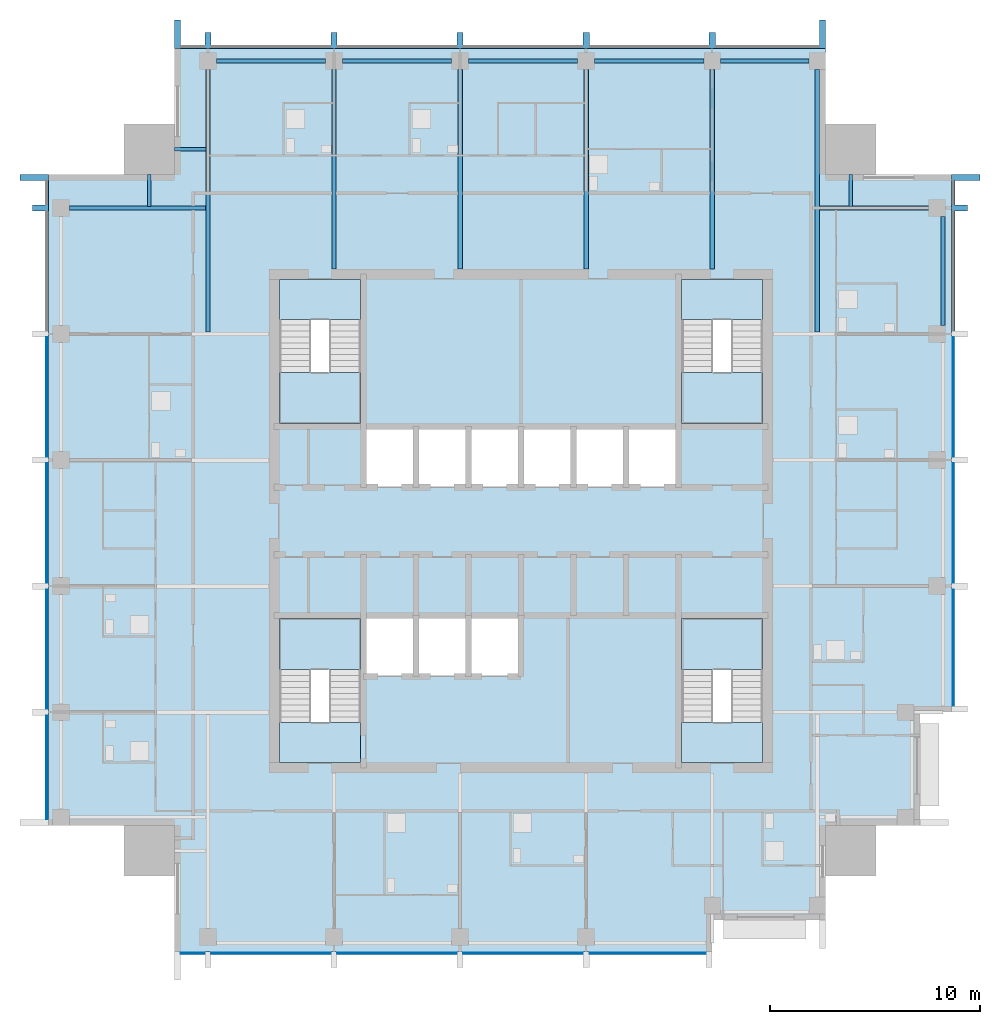
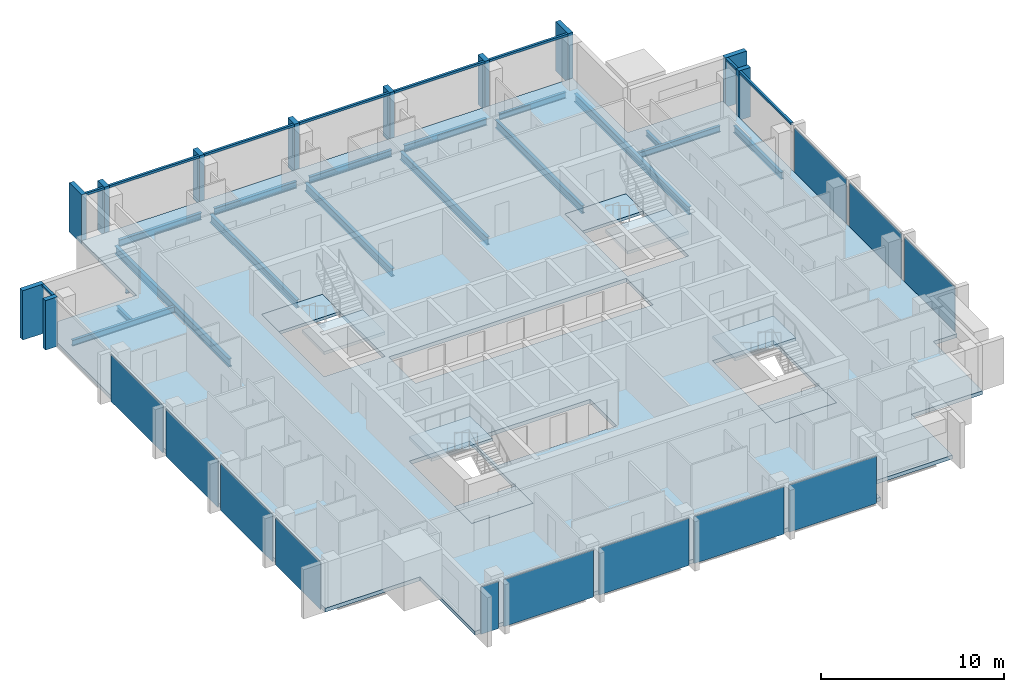
# One storey, part 2 of 10: 20 members, 17 beams, 12 plates, 9 slabs, 8 elements without a shape of their own.
"""IFC4 building model written with IfcOpenShell, lengths in metres."""

from ifc_helpers import new_model, si_unit, direction, frame, origin, origin_2d, place, context, subcontext, project, spatial, polyline, rectangle, i_section, outline, extrude, material, layer, layer_set, material_profile, profile_set, type_object, element, aggregate, save


model = new_model("IFC4")

# Units and contexts
model_context = context("Model", 3, precision=1e-05, world=origin(), true_north=direction((0.0, 1.0)))
body_context = subcontext(model_context, "Body", "Model", "MODEL_VIEW")
ifc_project = project(units=[si_unit("LENGTHUNIT", "METRE"), si_unit("AREAUNIT", "SQUARE_METRE"), si_unit("VOLUMEUNIT", "CUBIC_METRE"), si_unit("PLANEANGLEUNIT", "RADIAN"), si_unit("MASSUNIT", "GRAM", prefix="KILO")], contexts=[model_context])

# Site, building, storey
site_placement = place(None, origin())
site = spatial("IfcSite", under=ifc_project, at=site_placement, CompositionType="ELEMENT")
building_placement = place(site_placement, origin())
building = spatial("IfcBuilding", under=site, at=building_placement, Name="Amberfall Residences", CompositionType="ELEMENT")
storey_placement = place(building_placement, frame((0.0, 0.0, 275.199951171875)))
storey = spatial("IfcBuildingStorey", under=building, at=storey_placement, Name="L74", CompositionType="ELEMENT", Elevation=275.199951171875)

# Curtain wall, members
ifc_material_1 = material(Name="Bronze anodised aluminium and glass", Category="aluminium")
curtain_wall_type = type_object("IfcCurtainWallType", Name="Curtain wall CW1 tower unit", PredefinedType="USERDEFINED", material=ifc_material_1)
curtain_wall_1_placement = place(storey_placement, origin())
curtain_wall_1 = element("IfcCurtainWall", 1, at=curtain_wall_1_placement, inside=storey, type_object=curtain_wall_type, Name="Curtain wall L74 E E3", ObjectType="UNITISED CURTAIN WALL", PredefinedType="USERDEFINED")
ifc_material_2 = material(Name="Bronze anodised aluminium", Category="aluminium")
ifc_material_profile_1 = material_profile(ifc_material_2, rectangle(XDim=0.14990234375, YDim=0.14990234375, at=origin_2d()), Name="CW1 transom 150 x 150 bronze")
ifc_profile_set_1 = profile_set([ifc_material_profile_1], Name="Bronze anodised aluminium")
member_type_1 = type_object("IfcMemberType", Name="CW1 transom 150 x 150 bronze", PredefinedType="USERDEFINED", material=ifc_profile_set_1)
member_1_placement = place(storey_placement, frame((95.074951171875, 54.550048828125, 2.97509765625), z_axis=(0.0, 1.0, 0.0), x_axis=(-1.0, 0.0, 0.0)))
member_1 = element("IfcMember", 2, at=member_1_placement, type_object=member_type_1, Name="CW1 transom 4.1", ObjectType="TRANSOM", PredefinedType="USERDEFINED", context=body_context, shape_type="SweptSolid", body=[
    extrude(rectangle(XDim=0.14990234375, YDim=0.14990234375, at=origin_2d()), origin(), (0.0, 0.0, 1.0), 5.699951171875),
])
member_2_placement = place(storey_placement, frame((95.074951171875, 60.550048828125, 2.97509765625), z_axis=(0.0, 1.0, 0.0), x_axis=(-1.0, 0.0, 0.0)))
member_2 = element("IfcMember", 3, at=member_2_placement, type_object=member_type_1, Name="CW1 transom 5.1", ObjectType="TRANSOM", PredefinedType="USERDEFINED", context=body_context, shape_type="SweptSolid", body=[
    extrude(rectangle(XDim=0.14990234375, YDim=0.14990234375, at=origin_2d()), origin(), (0.0, 0.0, 1.0), 1.14990234375),
])

curtain_wall_2_placement = place(storey_placement, origin())
curtain_wall_2 = element("IfcCurtainWall", 4, at=curtain_wall_2_placement, inside=storey, type_object=curtain_wall_type, Name="Curtain wall L74 N N1", ObjectType="UNITISED CURTAIN WALL", PredefinedType="USERDEFINED")
member_3_placement = place(storey_placement, frame((88.699951171875, 68.074951171875, 2.97509765625), z_axis=(-1.0, 0.0, 0.0), x_axis=(0.0, -1.0, 0.0)))
member_3 = element("IfcMember", 5, at=member_3_placement, type_object=member_type_1, Name="CW1 transom 1.1", ObjectType="TRANSOM", PredefinedType="USERDEFINED", context=body_context, shape_type="SweptSolid", body=[
    extrude(rectangle(XDim=0.14990234375, YDim=0.14990234375, at=origin_2d()), origin(), (0.0, 0.0, 1.0), 4.949951171875),
])
member_4_placement = place(storey_placement, frame((83.449951171875, 68.074951171875, 2.97509765625), z_axis=(-1.0, 0.0, 0.0), x_axis=(0.0, -1.0, 0.0)))
member_4 = element("IfcMember", 6, at=member_4_placement, type_object=member_type_1, Name="CW1 transom 2.1", ObjectType="TRANSOM", PredefinedType="USERDEFINED", context=body_context, shape_type="SweptSolid", body=[
    extrude(rectangle(XDim=0.14990234375, YDim=0.14990234375, at=origin_2d()), origin(), (0.0, 0.0, 1.0), 5.699951171875),
])
member_5_placement = place(storey_placement, frame((77.449951171875, 68.074951171875, 2.97509765625), z_axis=(-1.0, 0.0, 0.0), x_axis=(0.0, -1.0, 0.0)))
member_5 = element("IfcMember", 7, at=member_5_placement, type_object=member_type_1, Name="CW1 transom 3.1", ObjectType="TRANSOM", PredefinedType="USERDEFINED", context=body_context, shape_type="SweptSolid", body=[
    extrude(rectangle(XDim=0.14990234375, YDim=0.14990234375, at=origin_2d()), origin(), (0.0, 0.0, 1.0), 5.699951171875),
])
member_6_placement = place(storey_placement, frame((71.449951171875, 68.074951171875, 2.97509765625), z_axis=(-1.0, 0.0, 0.0), x_axis=(0.0, -1.0, 0.0)))
member_6 = element("IfcMember", 8, at=member_6_placement, type_object=member_type_1, Name="CW1 transom 4.1", ObjectType="TRANSOM", PredefinedType="USERDEFINED", context=body_context, shape_type="SweptSolid", body=[
    extrude(rectangle(XDim=0.14990234375, YDim=0.14990234375, at=origin_2d()), origin(), (0.0, 0.0, 1.0), 5.699951171875),
])
member_7_placement = place(storey_placement, frame((65.449951171875, 68.074951171875, 2.97509765625), z_axis=(-1.0, 0.0, 0.0), x_axis=(0.0, -1.0, 0.0)))
member_7 = element("IfcMember", 9, at=member_7_placement, type_object=member_type_1, Name="CW1 transom 5.1", ObjectType="TRANSOM", PredefinedType="USERDEFINED", context=body_context, shape_type="SweptSolid", body=[
    extrude(rectangle(XDim=0.14990234375, YDim=0.14990234375, at=origin_2d()), origin(), (0.0, 0.0, 1.0), 5.699951171875),
])
member_8_placement = place(storey_placement, frame((59.449951171875, 68.074951171875, 2.97509765625), z_axis=(-1.0, 0.0, 0.0), x_axis=(0.0, -1.0, 0.0)))
member_8 = element("IfcMember", 10, at=member_8_placement, type_object=member_type_1, Name="CW1 transom 6.1", ObjectType="TRANSOM", PredefinedType="USERDEFINED", context=body_context, shape_type="SweptSolid", body=[
    extrude(rectangle(XDim=0.14990234375, YDim=0.14990234375, at=origin_2d()), origin(), (0.0, 0.0, 1.0), 1.14990234375),
])

# Curtain wall, member
curtain_wall_3_placement = place(storey_placement, origin())
curtain_wall_3 = element("IfcCurtainWall", 11, at=curtain_wall_3_placement, inside=storey, type_object=curtain_wall_type, Name="Curtain wall L74 W W1", ObjectType="UNITISED CURTAIN WALL", PredefinedType="USERDEFINED")
member_9_placement = place(storey_placement, frame((51.925048828125, 61.699951171875, 2.97509765625), z_axis=(0.0, -1.0, 0.0), x_axis=(1.0, 0.0, 0.0)))
member_9 = element("IfcMember", 12, at=member_9_placement, type_object=member_type_1, Name="CW1 transom 1.1", ObjectType="TRANSOM", PredefinedType="USERDEFINED", context=body_context, shape_type="SweptSolid", body=[
    extrude(rectangle(XDim=0.14990234375, YDim=0.14990234375, at=origin_2d()), origin(), (0.0, 0.0, 1.0), 1.14990234375),
])

# Member
ifc_material_profile_2 = material_profile(ifc_material_2, rectangle(XDim=1.35009765625, YDim=0.300048828125, at=origin_2d()), Name="Corner fin 300 x 1350 bronze")
ifc_profile_set_2 = profile_set([ifc_material_profile_2], Name="Bronze anodised aluminium")
member_type_2 = type_object("IfcMemberType", Name="Corner fin 300 x 1350 bronze", PredefinedType="MULLION", material=ifc_profile_set_2)
member_10_placement = place(storey_placement, frame((95.675048828125, 61.85009765625, -0.25), z_axis=(0.0, 0.0, 1.0), x_axis=(-1.0, 0.0, 0.0)))
member_10 = element("IfcMember", 13, at=member_10_placement, type_object=member_type_2, Name="CW FIN 6", PredefinedType="MULLION", context=body_context, shape_type="SweptSolid", body=[
    extrude(rectangle(XDim=1.35009765625, YDim=0.300048828125, at=origin_2d()), origin(), (0.0, 0.0, 1.0), 3.300048828125),
])

member_11_placement = place(storey_placement, frame((88.85009765625, 68.675048828125, -0.25), z_axis=(0.0, 0.0, 1.0), x_axis=(0.0, -1.0, 0.0)))
member_11 = element("IfcMember", 14, at=member_11_placement, type_object=member_type_2, Name="CW FIN 1", PredefinedType="MULLION", context=body_context, shape_type="SweptSolid", body=[
    extrude(rectangle(XDim=1.35009765625, YDim=0.300048828125, at=origin_2d()), origin(), (0.0, 0.0, 1.0), 3.300048828125),
])

member_12_placement = place(storey_placement, frame((58.14990234375, 68.675048828125, -0.25), z_axis=(0.0, 0.0, 1.0), x_axis=(0.0, -1.0, 0.0)))
member_12 = element("IfcMember", 15, at=member_12_placement, type_object=member_type_2, Name="CW FIN 7", PredefinedType="MULLION", context=body_context, shape_type="SweptSolid", body=[
    extrude(rectangle(XDim=1.35009765625, YDim=0.300048828125, at=origin_2d()), origin(), (0.0, 0.0, 1.0), 3.300048828125),
])

member_13_placement = place(storey_placement, frame((51.324951171875, 61.85009765625, -0.25), z_axis=(0.0, 0.0, 1.0), x_axis=(1.0, 0.0, 0.0)))
member_13 = element("IfcMember", 16, at=member_13_placement, type_object=member_type_2, Name="CW FIN 1", PredefinedType="MULLION", context=body_context, shape_type="SweptSolid", body=[
    extrude(rectangle(XDim=1.35009765625, YDim=0.300048828125, at=origin_2d()), origin(), (0.0, 0.0, 1.0), 3.300048828125),
])

# Beams
ifc_material_3 = material(Name="Steel S355", Category="steel")
ifc_material_profile_3 = material_profile(ifc_material_3, i_section(OverallWidth=0.177734375, OverallDepth=0.402587890625, WebThickness=0.0078125, FlangeThickness=0.010986328125, FilletRadius=0.01025390625, at=origin_2d()), Name="UB 406x178x54")
ifc_profile_set_3 = profile_set([ifc_material_profile_3], Name="Steel S355")
beam_type_1 = type_object("IfcBeamType", Name="Edge beam UB 406x178x54", PredefinedType="SPANDREL", material=ifc_profile_set_3)
beam_1_placement = place(storey_placement, frame((84.0, 67.39990234375, -0.451171875), z_axis=(1.0, 0.0, 0.0), x_axis=(0.0, 1.0, 0.0)))
element("IfcBeam", 17, at=beam_1_placement, inside=storey, type_object=beam_type_1, Name="Edge beam B14 L74 29", PredefinedType="SPANDREL", context=body_context, shape_type="SweptSolid", body=[
    extrude(i_section(OverallWidth=0.177734375, OverallDepth=0.402587890625, WebThickness=0.0078125, FlangeThickness=0.010986328125, FilletRadius=0.01025390625, at=origin_2d()), origin(), (0.0, 0.0, 1.0), 4.199951171875),
])
ifc_material_profile_4 = material_profile(ifc_material_3, i_section(OverallWidth=0.18994140625, OverallDepth=0.453369140625, WebThickness=0.008544921875, FlangeThickness=0.0126953125, FilletRadius=0.01025390625, at=origin_2d()), Name="UB 457x191x67")
ifc_profile_set_4 = profile_set([ifc_material_profile_4], Name="Steel S355")
beam_type_2 = type_object("IfcBeamType", Name="Edge beam UB 457x191x67", PredefinedType="SPANDREL", material=ifc_profile_set_4)
for number, where, z_axis, x_axis, name in (
    (18, (94.60009765625, 54.800048828125, -0.4765625), (0.0, 1.0, 0.0), (-1.0, 0.0, 0.0), "Edge beam B1 L74 17"),
    (19, (60.0, 67.39990234375, -0.4765625), (1.0, 0.0, 0.0), (0.0, 1.0, 0.0), "Edge beam B1 L74 25"),
    (20, (66.0, 67.39990234375, -0.4765625), (1.0, 0.0, 0.0), (0.0, 1.0, 0.0), "Edge beam B1 L74 26"),
    (21, (72.0, 67.39990234375, -0.4765625), (1.0, 0.0, 0.0), (0.0, 1.0, 0.0), "Edge beam B1 L74 27"),
    (22, (78.0, 67.39990234375, -0.4765625), (1.0, 0.0, 0.0), (0.0, 1.0, 0.0), "Edge beam B1 L74 28"),
):
    element("IfcBeam", number, at=place(storey_placement, frame(where, z_axis=z_axis, x_axis=x_axis)), inside=storey, type_object=beam_type_2, Name=name, PredefinedType="SPANDREL", context=body_context, shape_type="SweptSolid", body=[
        extrude(i_section(OverallWidth=0.18994140625, OverallDepth=0.453369140625, WebThickness=0.008544921875, FlangeThickness=0.0126953125, FilletRadius=0.01025390625, at=origin_2d()), origin(), (0.0, 0.0, 1.0), 5.199951171875),
    ])

# Member
ifc_material_profile_5 = material_profile(ifc_material_2, rectangle(XDim=0.75, YDim=0.300048828125, at=origin_2d()), Name="Fin 300 x 750 bronze")
ifc_profile_set_5 = profile_set([ifc_material_profile_5], Name="Bronze anodised aluminium")
member_type_3 = type_object("IfcMemberType", Name="Fin 300 x 750 bronze", PredefinedType="MULLION", material=ifc_profile_set_5)
member_14_placement = place(storey_placement, frame((95.375, 60.39990234375, -0.25), z_axis=(0.0, 0.0, 1.0), x_axis=(-1.0, 0.0, 0.0)))
member_14 = element("IfcMember", 23, at=member_14_placement, type_object=member_type_3, Name="CW FIN 5", PredefinedType="MULLION", context=body_context, shape_type="SweptSolid", body=[
    extrude(rectangle(XDim=0.75, YDim=0.300048828125, at=origin_2d()), origin(), (0.0, 0.0, 1.0), 3.300048828125),
])

member_15_placement = place(storey_placement, frame((83.60009765625, 68.375, -0.25), z_axis=(0.0, 0.0, 1.0), x_axis=(0.0, -1.0, 0.0)))
member_15 = element("IfcMember", 24, at=member_15_placement, type_object=member_type_3, Name="CW FIN 2", PredefinedType="MULLION", context=body_context, shape_type="SweptSolid", body=[
    extrude(rectangle(XDim=0.75, YDim=0.300048828125, at=origin_2d()), origin(), (0.0, 0.0, 1.0), 3.300048828125),
])

member_16_placement = place(storey_placement, frame((77.60009765625, 68.375, -0.25), z_axis=(0.0, 0.0, 1.0), x_axis=(0.0, -1.0, 0.0)))
member_16 = element("IfcMember", 25, at=member_16_placement, type_object=member_type_3, Name="CW FIN 3", PredefinedType="MULLION", context=body_context, shape_type="SweptSolid", body=[
    extrude(rectangle(XDim=0.75, YDim=0.300048828125, at=origin_2d()), origin(), (0.0, 0.0, 1.0), 3.300048828125),
])

member_17_placement = place(storey_placement, frame((71.60009765625, 68.375, -0.25), z_axis=(0.0, 0.0, 1.0), x_axis=(0.0, -1.0, 0.0)))
member_17 = element("IfcMember", 26, at=member_17_placement, type_object=member_type_3, Name="CW FIN 4", PredefinedType="MULLION", context=body_context, shape_type="SweptSolid", body=[
    extrude(rectangle(XDim=0.75, YDim=0.300048828125, at=origin_2d()), origin(), (0.0, 0.0, 1.0), 3.300048828125),
])

member_18_placement = place(storey_placement, frame((65.60009765625, 68.375, -0.25), z_axis=(0.0, 0.0, 1.0), x_axis=(0.0, -1.0, 0.0)))
member_18 = element("IfcMember", 27, at=member_18_placement, type_object=member_type_3, Name="CW FIN 5", PredefinedType="MULLION", context=body_context, shape_type="SweptSolid", body=[
    extrude(rectangle(XDim=0.75, YDim=0.300048828125, at=origin_2d()), origin(), (0.0, 0.0, 1.0), 3.300048828125),
])

member_19_placement = place(storey_placement, frame((59.60009765625, 68.375, -0.25), z_axis=(0.0, 0.0, 1.0), x_axis=(0.0, -1.0, 0.0)))
member_19 = element("IfcMember", 28, at=member_19_placement, type_object=member_type_3, Name="CW FIN 6", PredefinedType="MULLION", context=body_context, shape_type="SweptSolid", body=[
    extrude(rectangle(XDim=0.75, YDim=0.300048828125, at=origin_2d()), origin(), (0.0, 0.0, 1.0), 3.300048828125),
])

aggregate(curtain_wall_2, [member_11, member_15, member_16, member_17, member_18, member_19, member_12, member_3, member_4, member_5, member_6, member_7, member_8])

member_20_placement = place(storey_placement, frame((51.625, 60.39990234375, -0.25), z_axis=(0.0, 0.0, 1.0), x_axis=(1.0, 0.0, 0.0)))
member_20 = element("IfcMember", 29, at=member_20_placement, type_object=member_type_3, Name="CW FIN 2", PredefinedType="MULLION", context=body_context, shape_type="SweptSolid", body=[
    extrude(rectangle(XDim=0.75, YDim=0.300048828125, at=origin_2d()), origin(), (0.0, 0.0, 1.0), 3.300048828125),
])

# Beams
ifc_material_profile_6 = material_profile(ifc_material_3, i_section(OverallWidth=0.177734375, OverallDepth=0.402587890625, WebThickness=0.0078125, FlangeThickness=0.010986328125, FilletRadius=0.01025390625, at=origin_2d()), Name="UB 406x178x54")
ifc_profile_set_6 = profile_set([ifc_material_profile_6], Name="Steel S355")
beam_type_3 = type_object("IfcBeamType", Name="Floor girder UB 406x178x54", PredefinedType="BEAM", material=ifc_profile_set_6)
beam_2_placement = place(storey_placement, frame((93.89990234375, 60.39990234375, -0.451171875), z_axis=(-1.0, 0.0, 0.0), x_axis=(0.0, -1.0, 0.0)))
element("IfcBeam", 30, at=beam_2_placement, inside=storey, type_object=beam_type_3, Name="Floor girder B4 L74 24", PredefinedType="BEAM", context=body_context, shape_type="SweptSolid", body=[
    extrude(i_section(OverallWidth=0.177734375, OverallDepth=0.402587890625, WebThickness=0.0078125, FlangeThickness=0.010986328125, FilletRadius=0.01025390625, at=origin_2d()), origin(), (0.0, 0.0, 1.0), 5.179931640625),
])
beam_3_placement = place(storey_placement, frame((53.0, 60.39990234375, -0.451171875), z_axis=(1.0, 0.0, 0.0), x_axis=(0.0, 1.0, 0.0)))
element("IfcBeam", 31, at=beam_3_placement, inside=storey, type_object=beam_type_3, Name="Floor girder B4 L74 46", PredefinedType="BEAM", context=body_context, shape_type="SweptSolid", body=[
    extrude(i_section(OverallWidth=0.177734375, OverallDepth=0.402587890625, WebThickness=0.0078125, FlangeThickness=0.010986328125, FilletRadius=0.01025390625, at=origin_2d()), origin(), (0.0, 0.0, 1.0), 6.47998046875),
])
ifc_material_profile_7 = material_profile(ifc_material_3, i_section(OverallWidth=0.210693359375, OverallDepth=0.53955078125, WebThickness=0.01171875, FlangeThickness=0.018798828125, FilletRadius=0.0126953125, at=origin_2d()), Name="UB 533x210x109")
ifc_profile_set_7 = profile_set([ifc_material_profile_7], Name="Steel S355")
beam_type_4 = type_object("IfcBeamType", Name="Floor girder UB 533x210x109", PredefinedType="BEAM", material=ifc_profile_set_7)
beam_4_placement = place(storey_placement, frame((59.60009765625, 67.0, -0.519775390625), z_axis=(0.0, -1.0, 0.0), x_axis=(1.0, 0.0, 0.0)))
element("IfcBeam", 32, at=beam_4_placement, inside=storey, type_object=beam_type_4, Name="Floor girder B2 L74 30", PredefinedType="BEAM", context=body_context, shape_type="SweptSolid", body=[
    extrude(i_section(OverallWidth=0.210693359375, OverallDepth=0.53955078125, WebThickness=0.01171875, FlangeThickness=0.018798828125, FilletRadius=0.0126953125, at=origin_2d()), origin(), (0.0, 0.0, 1.0), 12.50048828125),
])
beam_5_placement = place(storey_placement, frame((88.60009765625, 67.0, -0.519775390625), z_axis=(0.0, -1.0, 0.0), x_axis=(1.0, 0.0, 0.0)))
element("IfcBeam", 33, at=beam_5_placement, inside=storey, type_object=beam_type_4, Name="Floor girder B2 L74 35", PredefinedType="BEAM", context=body_context, shape_type="SweptSolid", body=[
    extrude(i_section(OverallWidth=0.210693359375, OverallDepth=0.53955078125, WebThickness=0.01171875, FlangeThickness=0.018798828125, FilletRadius=0.0126953125, at=origin_2d()), origin(), (0.0, 0.0, 1.0), 12.509521484375),
])
ifc_material_profile_8 = material_profile(ifc_material_3, i_section(OverallWidth=0.209228515625, OverallDepth=0.533203125, WebThickness=0.010009765625, FlangeThickness=0.015625, FilletRadius=0.0126953125, at=origin_2d()), Name="UB 533x210x92")
ifc_profile_set_8 = profile_set([ifc_material_profile_8], Name="Steel S355")
beam_type_5 = type_object("IfcBeamType", Name="Floor girder UB 533x210x92", PredefinedType="BEAM", material=ifc_profile_set_8)
for number, where, z_axis, x_axis, name in (
    (34, (65.60009765625, 67.0, -0.5166015625), (0.0, -1.0, 0.0), (1.0, 0.0, 0.0), "Floor girder B3 L74 31"),
    (35, (71.60009765625, 67.0, -0.5166015625), (0.0, -1.0, 0.0), (1.0, 0.0, 0.0), "Floor girder B3 L74 32"),
    (36, (77.60009765625, 67.0, -0.5166015625), (0.0, -1.0, 0.0), (1.0, 0.0, 0.0), "Floor girder B3 L74 33"),
    (37, (83.60009765625, 67.0, -0.5166015625), (0.0, -1.0, 0.0), (1.0, 0.0, 0.0), "Floor girder B3 L74 34"),
):
    element("IfcBeam", number, at=place(storey_placement, frame(where, z_axis=z_axis, x_axis=x_axis)), inside=storey, type_object=beam_type_5, Name=name, PredefinedType="BEAM", context=body_context, shape_type="SweptSolid", body=[
        extrude(i_section(OverallWidth=0.209228515625, OverallDepth=0.533203125, WebThickness=0.010009765625, FlangeThickness=0.015625, FilletRadius=0.0126953125, at=origin_2d()), origin(), (0.0, 0.0, 1.0), 9.5),
    ])
ifc_material_profile_9 = material_profile(ifc_material_3, i_section(OverallWidth=0.171142578125, OverallDepth=0.351318359375, WebThickness=0.007080078125, FlangeThickness=0.009765625, FilletRadius=0.01025390625, at=origin_2d()), Name="UB 356x171x45")
ifc_profile_set_9 = profile_set([ifc_material_profile_9], Name="Steel S355")
beam_type_6 = type_object("IfcBeamType", Name="Link beam UB 356x171x45", PredefinedType="BEAM", material=ifc_profile_set_9)
beam_6_placement = place(storey_placement, frame((90.199951171875, 62.0, -0.425537109375), z_axis=(0.0, -1.0, 0.0), x_axis=(1.0, 0.0, 0.0)))
element("IfcBeam", 38, at=beam_6_placement, inside=storey, type_object=beam_type_6, Name="Link beam B7 L74 48", PredefinedType="BEAM", context=body_context, shape_type="SweptSolid", body=[
    extrude(i_section(OverallWidth=0.171142578125, OverallDepth=0.351318359375, WebThickness=0.007080078125, FlangeThickness=0.009765625, FilletRadius=0.01025390625, at=origin_2d()), origin(), (0.0, 0.0, 1.0), 1.52099609375),
])
beam_7_placement = place(storey_placement, frame((58.0, 63.199951171875, -0.425537109375), z_axis=(1.0, 0.0, 0.0), x_axis=(0.0, 1.0, 0.0)))
element("IfcBeam", 39, at=beam_7_placement, inside=storey, type_object=beam_type_6, Name="Link beam B7 L74 49", PredefinedType="BEAM", context=body_context, shape_type="SweptSolid", body=[
    extrude(i_section(OverallWidth=0.171142578125, OverallDepth=0.351318359375, WebThickness=0.007080078125, FlangeThickness=0.009765625, FilletRadius=0.01025390625, at=origin_2d()), origin(), (0.0, 0.0, 1.0), 1.504638671875),
])
beam_8_placement = place(storey_placement, frame((56.800048828125, 62.0, -0.425537109375), z_axis=(0.0, -1.0, 0.0), x_axis=(1.0, 0.0, 0.0)))
element("IfcBeam", 40, at=beam_8_placement, inside=storey, type_object=beam_type_6, Name="Link beam B7 L74 50", PredefinedType="BEAM", context=body_context, shape_type="SweptSolid", body=[
    extrude(i_section(OverallWidth=0.171142578125, OverallDepth=0.351318359375, WebThickness=0.007080078125, FlangeThickness=0.009765625, FilletRadius=0.01025390625, at=origin_2d()), origin(), (0.0, 0.0, 1.0), 1.52099609375),
])

# Curtain wall, plates
curtain_wall_4_placement = place(storey_placement, origin())
curtain_wall_4 = element("IfcCurtainWall", 41, at=curtain_wall_4_placement, inside=storey, type_object=curtain_wall_type, Name="Curtain wall L74 S S1", ObjectType="UNITISED CURTAIN WALL", PredefinedType="USERDEFINED")
ifc_material_4 = material(Name="Tinted double glazed unit", Category="glass")
ifc_layer_1 = layer(ifc_material_4, 0.035888671875)
ifc_layer_set_1 = layer_set([ifc_layer_1], Name="CW1 panel 36 glazing")
plate_type = type_object("IfcPlateType", Name="CW1 panel 36 glazing", PredefinedType="CURTAIN_PANEL", material=ifc_layer_set_1)
plate_1_placement = place(storey_placement, frame((58.875, 24.925048828125, -0.25), z_axis=(0.0, 0.0, 1.0), x_axis=(1.0, 0.0, 0.0)))
plate_1 = element("IfcPlate", 42, at=plate_1_placement, type_object=plate_type, Name="CW1 panel 1.1", PredefinedType="CURTAIN_PANEL", context=body_context, shape_type="SweptSolid", body=[
    extrude(rectangle(XDim=1.1259765625, YDim=0.035888671875, at=origin_2d()), origin(), (0.0, 0.0, 1.0), 3.14990234375),
])
plate_2_placement = place(storey_placement, frame((62.60009765625, 24.925048828125, -0.25), z_axis=(0.0, 0.0, 1.0), x_axis=(1.0, 0.0, 0.0)))
plate_2 = element("IfcPlate", 43, at=plate_2_placement, type_object=plate_type, Name="CW1 panel 2.1", PredefinedType="CURTAIN_PANEL", context=body_context, shape_type="SweptSolid", body=[
    extrude(rectangle(XDim=5.676025390625, YDim=0.035888671875, at=origin_2d()), origin(), (0.0, 0.0, 1.0), 3.14990234375),
])
plate_3_placement = place(storey_placement, frame((68.60009765625, 24.925048828125, -0.25), z_axis=(0.0, 0.0, 1.0), x_axis=(1.0, 0.0, 0.0)))
plate_3 = element("IfcPlate", 44, at=plate_3_placement, type_object=plate_type, Name="CW1 panel 3.1", PredefinedType="CURTAIN_PANEL", context=body_context, shape_type="SweptSolid", body=[
    extrude(rectangle(XDim=5.676025390625, YDim=0.035888671875, at=origin_2d()), origin(), (0.0, 0.0, 1.0), 3.14990234375),
])
plate_4_placement = place(storey_placement, frame((74.60009765625, 24.925048828125, -0.25), z_axis=(0.0, 0.0, 1.0), x_axis=(1.0, 0.0, 0.0)))
plate_4 = element("IfcPlate", 45, at=plate_4_placement, type_object=plate_type, Name="CW1 panel 4.1", PredefinedType="CURTAIN_PANEL", context=body_context, shape_type="SweptSolid", body=[
    extrude(rectangle(XDim=5.676025390625, YDim=0.035888671875, at=origin_2d()), origin(), (0.0, 0.0, 1.0), 3.14990234375),
])
plate_5_placement = place(storey_placement, frame((80.52490234375, 24.925048828125, -0.25), z_axis=(0.0, 0.0, 1.0), x_axis=(1.0, 0.0, 0.0)))
plate_5 = element("IfcPlate", 46, at=plate_5_placement, type_object=plate_type, Name="CW1 panel 5.1", PredefinedType="CURTAIN_PANEL", context=body_context, shape_type="SweptSolid", body=[
    extrude(rectangle(XDim=5.52587890625, YDim=0.035888671875, at=origin_2d()), origin(), (0.0, 0.0, 1.0), 3.14990234375),
])
aggregate(curtain_wall_4, [plate_1, plate_2, plate_3, plate_4, plate_5])

# Plate
plate_6_placement = place(storey_placement, frame((95.074951171875, 39.47509765625, -0.25), z_axis=(0.0, 0.0, 1.0), x_axis=(0.0, 1.0, 0.0)))
plate_6 = element("IfcPlate", 47, at=plate_6_placement, type_object=plate_type, Name="CW1 panel 1.1", PredefinedType="CURTAIN_PANEL", context=body_context, shape_type="SweptSolid", body=[
    extrude(rectangle(XDim=5.52587890625, YDim=0.035888671875, at=origin_2d()), origin(), (0.0, 0.0, 1.0), 3.14990234375),
])

plate_7_placement = place(storey_placement, frame((95.074951171875, 45.39990234375, -0.25), z_axis=(0.0, 0.0, 1.0), x_axis=(0.0, 1.0, 0.0)))
plate_7 = element("IfcPlate", 48, at=plate_7_placement, type_object=plate_type, Name="CW1 panel 2.1", PredefinedType="CURTAIN_PANEL", context=body_context, shape_type="SweptSolid", body=[
    extrude(rectangle(XDim=5.676025390625, YDim=0.035888671875, at=origin_2d()), origin(), (0.0, 0.0, 1.0), 3.14990234375),
])

plate_8_placement = place(storey_placement, frame((95.074951171875, 51.39990234375, -0.25), z_axis=(0.0, 0.0, 1.0), x_axis=(0.0, 1.0, 0.0)))
plate_8 = element("IfcPlate", 49, at=plate_8_placement, type_object=plate_type, Name="CW1 panel 3.1", PredefinedType="CURTAIN_PANEL", context=body_context, shape_type="SweptSolid", body=[
    extrude(rectangle(XDim=5.676025390625, YDim=0.035888671875, at=origin_2d()), origin(), (0.0, 0.0, 1.0), 3.14990234375),
])

aggregate(curtain_wall_1, [member_14, member_10, plate_6, plate_7, plate_8, member_1, member_2])

plate_9_placement = place(storey_placement, frame((51.925048828125, 51.39990234375, -0.25), z_axis=(0.0, 0.0, 1.0), x_axis=(0.0, -1.0, 0.0)))
plate_9 = element("IfcPlate", 50, at=plate_9_placement, type_object=plate_type, Name="CW1 panel 3.1", PredefinedType="CURTAIN_PANEL", context=body_context, shape_type="SweptSolid", body=[
    extrude(rectangle(XDim=5.676025390625, YDim=0.035888671875, at=origin_2d()), origin(), (0.0, 0.0, 1.0), 3.14990234375),
])

plate_10_placement = place(storey_placement, frame((51.925048828125, 45.39990234375, -0.25), z_axis=(0.0, 0.0, 1.0), x_axis=(0.0, -1.0, 0.0)))
plate_10 = element("IfcPlate", 51, at=plate_10_placement, type_object=plate_type, Name="CW1 panel 4.1", PredefinedType="CURTAIN_PANEL", context=body_context, shape_type="SweptSolid", body=[
    extrude(rectangle(XDim=5.676025390625, YDim=0.035888671875, at=origin_2d()), origin(), (0.0, 0.0, 1.0), 3.14990234375),
])

plate_11_placement = place(storey_placement, frame((51.925048828125, 39.39990234375, -0.25), z_axis=(0.0, 0.0, 1.0), x_axis=(0.0, -1.0, 0.0)))
plate_11 = element("IfcPlate", 52, at=plate_11_placement, type_object=plate_type, Name="CW1 panel 5.1", PredefinedType="CURTAIN_PANEL", context=body_context, shape_type="SweptSolid", body=[
    extrude(rectangle(XDim=5.676025390625, YDim=0.035888671875, at=origin_2d()), origin(), (0.0, 0.0, 1.0), 3.14990234375),
])

plate_12_placement = place(storey_placement, frame((51.925048828125, 33.77490234375, -0.25), z_axis=(0.0, 0.0, 1.0), x_axis=(0.0, -1.0, 0.0)))
plate_12 = element("IfcPlate", 53, at=plate_12_placement, type_object=plate_type, Name="CW1 panel 6.1", PredefinedType="CURTAIN_PANEL", context=body_context, shape_type="SweptSolid", body=[
    extrude(rectangle(XDim=4.926025390625, YDim=0.035888671875, at=origin_2d()), origin(), (0.0, 0.0, 1.0), 3.14990234375),
])

aggregate(curtain_wall_3, [member_13, member_20, member_9, plate_9, plate_10, plate_11, plate_12])

# Slab
ifc_material_5 = material(Name="Concrete C50", Category="concrete")
ifc_layer_2 = layer(ifc_material_5, 0.25)
ifc_layer_set_2 = layer_set([ifc_layer_2], Name="Floor slab 250 C50")
slab_type_1 = type_object("IfcSlabType", Name="Floor slab 250 C50", PredefinedType="FLOOR", material=ifc_layer_set_2)
slab_1_placement = place(storey_placement, frame((0.0, 0.0, -0.25)))
element("IfcSlab", 54, at=slab_1_placement, inside=storey, type_object=slab_type_1, Name="Floor slab S19 L74", PredefinedType="FLOOR", context=body_context, shape_type="SweptSolid", body=[
    extrude(outline(polyline([(83.60009765625, 26.5), (83.60009765625, 25.0), (58.0, 25.0), (58.0, 31.0), (52.0, 31.0), (52.0, 62.0), (58.0, 62.0), (58.0, 68.0), (89.0, 68.0), (89.0, 62.0), (95.0, 62.0), (95.0, 36.39990234375), (93.5, 36.39990234375), (93.5, 31.0), (89.0, 31.0), (89.0, 26.5), (83.60009765625, 26.5)]), holes=[polyline([(86.0, 34.0), (86.0, 40.85009765625), (82.14990234375, 40.85009765625), (82.14990234375, 34.0), (86.0, 34.0)]), polyline([(86.0, 50.14990234375), (86.0, 57.0), (82.14990234375, 57.0), (82.14990234375, 50.14990234375), (86.0, 50.14990234375)]), polyline([(67.0, 50.0), (67.0, 47.10009765625), (69.5, 47.10009765625), (72.0, 47.10009765625), (74.5, 47.10009765625), (77.0, 47.10009765625), (79.5, 47.10009765625), (82.0, 47.10009765625), (82.0, 50.0), (79.5, 50.0), (77.0, 50.0), (74.5, 50.0), (72.0, 50.0), (69.5, 50.0), (67.0, 50.0)]), polyline([(69.5, 41.0), (67.0, 41.0), (67.0, 38.10009765625), (69.5, 38.10009765625), (72.0, 38.10009765625), (74.5, 38.10009765625), (74.5, 41.0), (72.0, 41.0), (69.5, 41.0)]), polyline([(66.85009765625, 40.85009765625), (63.0, 40.85009765625), (63.0, 34.0), (66.85009765625, 34.0), (66.85009765625, 40.85009765625)]), polyline([(66.85009765625, 57.0), (63.0, 57.0), (63.0, 50.14990234375), (66.85009765625, 50.14990234375), (66.85009765625, 57.0)])]), origin(), (0.0, 0.0, 1.0), 0.25),
])

# Stair, slabs
ifc_material_6 = material(Name="Concrete C40", Category="concrete")
stair_type = type_object("IfcStairType", Name="Exit stair 20 risers 165.0 mm", PredefinedType="HALF_TURN_STAIR", material=ifc_material_6)
stair_1_placement = place(storey_placement, origin())
stair_1 = element("IfcStair", 55, at=stair_1_placement, inside=storey, type_object=stair_type, Name="L74 Exit stair 1", PredefinedType="HALF_TURN_STAIR")
ifc_layer_3 = layer(ifc_material_6, 0.199951171875)
ifc_layer_set_3 = layer_set([ifc_layer_3], Name="Stair landing 200")
slab_type_2 = type_object("IfcSlabType", Name="Stair landing 200", PredefinedType="LANDING", material=ifc_layer_set_3)
slab_2_placement = place(storey_placement, frame((0.0, 0.0, 1.449951171875)))
slab_2 = element("IfcSlab", 56, at=slab_2_placement, type_object=slab_type_2, Name="ST3 landing 1", PredefinedType="LANDING", context=body_context, shape_type="SweptSolid", body=[
    extrude(outline(polyline([(66.85009765625, 38.419921875), (66.85009765625, 40.85009765625), (63.0, 40.85009765625), (63.0, 38.419921875), (66.85009765625, 38.419921875)])), origin(), (0.0, 0.0, 1.0), 0.2001953125),
])
slab_3_placement = place(storey_placement, frame((0.0, 0.0, -0.199951171875)))
slab_3 = element("IfcSlab", 57, at=slab_3_placement, type_object=slab_type_2, Name="ST3 landing 2", PredefinedType="LANDING", context=body_context, shape_type="SweptSolid", body=[
    extrude(outline(polyline([(66.85009765625, 34.0), (66.85009765625, 35.89990234375), (63.0, 35.89990234375), (63.0, 34.0), (66.85009765625, 34.0)])), origin(), (0.0, 0.0, 1.0), 0.199951171875),
])
aggregate(stair_1, [slab_2, slab_3])

stair_2_placement = place(storey_placement, origin())
stair_2 = element("IfcStair", 58, at=stair_2_placement, inside=storey, type_object=stair_type, Name="L74 Exit stair 2", PredefinedType="HALF_TURN_STAIR")
slab_4_placement = place(storey_placement, frame((0.0, 0.0, 1.449951171875)))
slab_4 = element("IfcSlab", 59, at=slab_4_placement, type_object=slab_type_2, Name="ST3 landing 1", PredefinedType="LANDING", context=body_context, shape_type="SweptSolid", body=[
    extrude(outline(polyline([(86.0, 38.419921875), (86.0, 40.85009765625), (82.14990234375, 40.85009765625), (82.14990234375, 38.419921875), (86.0, 38.419921875)])), origin(), (0.0, 0.0, 1.0), 0.2001953125),
])
slab_5_placement = place(storey_placement, frame((0.0, 0.0, -0.199951171875)))
slab_5 = element("IfcSlab", 60, at=slab_5_placement, type_object=slab_type_2, Name="ST3 landing 2", PredefinedType="LANDING", context=body_context, shape_type="SweptSolid", body=[
    extrude(outline(polyline([(86.0, 34.0), (86.0, 35.89990234375), (82.14990234375, 35.89990234375), (82.14990234375, 34.0), (86.0, 34.0)])), origin(), (0.0, 0.0, 1.0), 0.199951171875),
])
aggregate(stair_2, [slab_4, slab_5])

stair_3_placement = place(storey_placement, origin())
stair_3 = element("IfcStair", 61, at=stair_3_placement, inside=storey, type_object=stair_type, Name="L74 Exit stair 3", PredefinedType="HALF_TURN_STAIR")
slab_6_placement = place(storey_placement, frame((0.0, 0.0, 1.449951171875)))
slab_6 = element("IfcSlab", 62, at=slab_6_placement, type_object=slab_type_2, Name="ST3 landing 1", PredefinedType="LANDING", context=body_context, shape_type="SweptSolid", body=[
    extrude(outline(polyline([(82.14990234375, 52.580078125), (82.14990234375, 50.14990234375), (86.0, 50.14990234375), (86.0, 52.580078125), (82.14990234375, 52.580078125)])), origin(), (0.0, 0.0, 1.0), 0.2001953125),
])
slab_7_placement = place(storey_placement, frame((0.0, 0.0, -0.199951171875)))
slab_7 = element("IfcSlab", 63, at=slab_7_placement, type_object=slab_type_2, Name="ST3 landing 2", PredefinedType="LANDING", context=body_context, shape_type="SweptSolid", body=[
    extrude(outline(polyline([(82.14990234375, 57.0), (82.14990234375, 55.10009765625), (86.0, 55.10009765625), (86.0, 57.0), (82.14990234375, 57.0)])), origin(), (0.0, 0.0, 1.0), 0.199951171875),
])
aggregate(stair_3, [slab_6, slab_7])

stair_4_placement = place(storey_placement, origin())
stair_4 = element("IfcStair", 64, at=stair_4_placement, inside=storey, type_object=stair_type, Name="L74 Exit stair 4", PredefinedType="HALF_TURN_STAIR")
slab_8_placement = place(storey_placement, frame((0.0, 0.0, 1.449951171875)))
slab_8 = element("IfcSlab", 65, at=slab_8_placement, type_object=slab_type_2, Name="ST3 landing 1", PredefinedType="LANDING", context=body_context, shape_type="SweptSolid", body=[
    extrude(outline(polyline([(63.0, 52.580078125), (63.0, 50.14990234375), (66.85009765625, 50.14990234375), (66.85009765625, 52.580078125), (63.0, 52.580078125)])), origin(), (0.0, 0.0, 1.0), 0.2001953125),
])
slab_9_placement = place(storey_placement, frame((0.0, 0.0, -0.199951171875)))
slab_9 = element("IfcSlab", 66, at=slab_9_placement, type_object=slab_type_2, Name="ST3 landing 2", PredefinedType="LANDING", context=body_context, shape_type="SweptSolid", body=[
    extrude(outline(polyline([(63.0, 57.0), (63.0, 55.10009765625), (66.85009765625, 55.10009765625), (66.85009765625, 57.0), (63.0, 57.0)])), origin(), (0.0, 0.0, 1.0), 0.199951171875),
])
aggregate(stair_4, [slab_8, slab_9])

save(model, "model.ifc")
